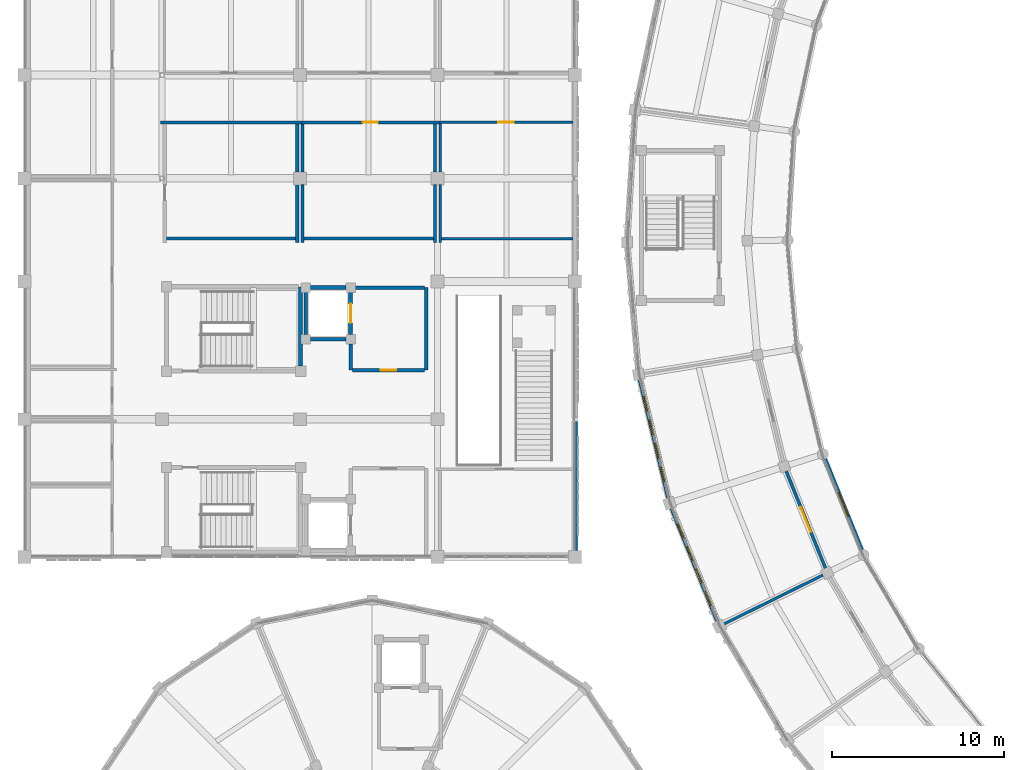
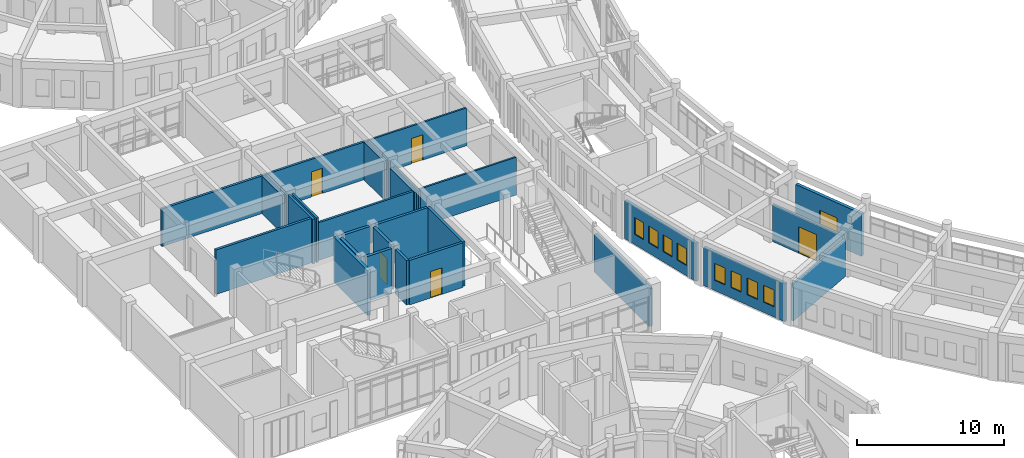
# One storey, part 121 of 159: 29 walls, 9 windows, 5 doors, 14 openings.
"""IFC4 building model written with IfcOpenShell, lengths in metres."""

from ifc_helpers import new_model, si_unit, direction, frame, frame_2d, origin, place, context, subcontext, project, spatial, rectangle, extrude, material, layer, layer_set, type_object, element, fill, save


model = new_model("IFC4")

# Units and contexts
model_context = context("Model", 3, precision=1e-05, world=origin(), true_north=direction((0.0, 1.0)))
body_context = subcontext(model_context, "Body", "Model", "MODEL_VIEW")
ifc_project = project(units=[si_unit("LENGTHUNIT", "METRE"), si_unit("AREAUNIT", "SQUARE_METRE"), si_unit("VOLUMEUNIT", "CUBIC_METRE"), si_unit("PLANEANGLEUNIT", "RADIAN"), si_unit("MASSUNIT", "GRAM", prefix="KILO")], contexts=[model_context])

# Site, building, storey
site_placement = place(None, origin())
site = spatial("IfcSite", under=ifc_project, at=site_placement, CompositionType="ELEMENT")
building_placement = place(site_placement, origin())
building = spatial("IfcBuilding", under=site, at=building_placement, Name="Celadon Cloister-Ring School", CompositionType="ELEMENT")
storey_placement = place(building_placement, frame((0.0, 0.0, 4.5)))
storey = spatial("IfcBuildingStorey", under=building, at=storey_placement, Name="L01", CompositionType="ELEMENT", Elevation=4.5)

# Wall
ifc_material_1 = material(Name="Rendered concrete blockwork", Category="masonry")
ifc_layer_1 = layer(ifc_material_1, 0.260009765625)
ifc_layer_set_1 = layer_set([ifc_layer_1], Name="Rendered concrete blockwork")
wall_type_1 = type_object("IfcWallType", Name="WT-EX2", PredefinedType="SOLIDWALL", material=ifc_layer_set_1)
wall_1_placement = place(storey_placement, frame((32.0, 47.887939453125, 0.0), z_axis=(0.0, 0.0, 1.0), x_axis=(0.0, -1.0, 0.0)))
element("IfcWall", 1, at=wall_1_placement, inside=storey, type_object=wall_type_1, Name="Exterior Wall 0507", PredefinedType="SOLIDWALL", context=body_context, shape_type="SweptSolid", body=[
    extrude(rectangle(XDim=7.510986328125, YDim=0.260009765625, at=frame_2d((3.75537109375, 0.0))), origin(), (0.0, 0.0, 1.0), 3.132080078125),
])

# Wall, opening, window
ifc_material_2 = material(Name="Rendered concrete blockwork", Category="masonry")
ifc_layer_2 = layer(ifc_material_2, 0.239990234375)
ifc_layer_set_2 = layer_set([ifc_layer_2], Name="Rendered concrete blockwork")
wall_type_2 = type_object("IfcWallType", Name="WT-EX3", PredefinedType="SOLIDWALL", material=ifc_layer_set_2)
wall_2_placement = place(storey_placement, frame((46.510986328125, 45.669921875, 0.0), z_axis=(0.0, 0.0, 1.0), x_axis=(0.374984650913, -0.927031019751, 0.0)))
wall_2 = element("IfcWall", 2, at=wall_2_placement, inside=storey, type_object=wall_type_2, Name="Exterior Wall 0066", PredefinedType="SOLIDWALL", context=body_context, shape_type="SweptSolid", body=[
    extrude(rectangle(XDim=5.664306640625, YDim=0.239990234375, at=frame_2d((2.83203125, 0.0))), origin(), (0.0, 0.0, 1.0), 3.550048828125),
])
opening_1_placement = place(wall_2_placement, frame((2.08203125, 0.0, 0.89990234375)))
opening_1 = element("IfcOpeningElement", 3, at=opening_1_placement, cuts=wall_2, Name="Opening WN-25", PredefinedType="OPENING", context=body_context, shape_type="SweptSolid", body=[
    extrude(rectangle(XDim=1.5, YDim=1.39990234375, at=frame_2d((0.75, 0.699951171875))), frame((0.0, 0.1298828125, 0.0), z_axis=(0.0, -1.0, 0.0), x_axis=(1.0, 0.0, 0.0)), (0.0, 0.0, 1.0), 0.260009765625),
])
ifc_material_3 = material(Name="Tempered laminated insulating glass", Category="glass")
window_type_1 = type_object("IfcWindowType", Name="WN-25", PartitioningType="DOUBLE_PANEL_VERTICAL", PredefinedType="WINDOW", material=ifc_material_3)
window_1_placement = place(opening_1_placement, origin())
window_1 = element("IfcWindow", 4, at=window_1_placement, inside=storey, type_object=window_type_1, Name="Window 0168", OverallHeight=1.39990234375, OverallWidth=1.5, PartitioningType="SINGLE_PANEL", PredefinedType="WINDOW", context=body_context, shape_type="SweptSolid", body=[
    extrude(rectangle(XDim=1.5, YDim=1.39990234375, at=frame_2d((0.75, 0.699951171875))), frame((0.0, 0.030029296875, 0.0), z_axis=(0.0, -1.0, 0.0), x_axis=(1.0, 0.0, 0.0)), (0.0, 0.0, 1.0), 0.06005859375),
])
fill(opening_1, window_1)

# Wall, openings, windows
ifc_material_4 = material(Name="Perforated terracotta clay brick masonry", Category="masonry")
ifc_layer_3 = layer(ifc_material_4, 0.219970703125)
ifc_layer_set_3 = layer_set([ifc_layer_3], Name="Perforated terracotta clay brick masonry")
wall_type_3 = type_object("IfcWallType", Name="WT-EX4", PredefinedType="SOLIDWALL", material=ifc_layer_set_3)
wall_3_placement = place(storey_placement, frame((37.406005859375, 43.445068359375, 0.0), z_axis=(0.0, 0.0, 1.0), x_axis=(-0.233995482049, 0.972237684098, 0.0)))
wall_3 = element("IfcWall", 5, at=wall_3_placement, inside=storey, type_object=wall_type_3, Name="Exterior Wall 0064", PredefinedType="SOLIDWALL", context=body_context, shape_type="SweptSolid", body=[
    extrude(rectangle(XDim=7.030029296875, YDim=0.219970703125, at=frame_2d((3.51513671875, 0.0))), origin(), (0.0, 0.0, 1.0), 3.172119140625),
])
opening_2_placement = place(wall_3_placement, frame((0.9560546875, 0.0, 0.85009765625)))
opening_2 = element("IfcOpeningElement", 6, at=opening_2_placement, cuts=wall_3, Name="Opening WN-21", PredefinedType="OPENING", context=body_context, shape_type="SweptSolid", body=[
    extrude(rectangle(XDim=0.89990234375, YDim=1.39990234375, at=frame_2d((0.449951171875, 0.699951171875))), frame((0.0, 0.1201171875, 0.0), z_axis=(0.0, -1.0, 0.0), x_axis=(1.0, 0.0, 0.0)), (0.0, 0.0, 1.0), 0.239990234375),
])
opening_3_placement = place(wall_3_placement, frame((2.362060546875, 0.0, 0.85009765625)))
opening_3 = element("IfcOpeningElement", 7, at=opening_3_placement, cuts=wall_3, Name="Opening WN-21", PredefinedType="OPENING", context=body_context, shape_type="SweptSolid", body=[
    extrude(rectangle(XDim=0.89990234375, YDim=1.39990234375, at=frame_2d((0.449951171875, 0.699951171875))), frame((0.0, 0.1201171875, 0.0), z_axis=(0.0, -1.0, 0.0), x_axis=(1.0, 0.0, 0.0)), (0.0, 0.0, 1.0), 0.239990234375),
])
opening_4_placement = place(wall_3_placement, frame((3.76806640625, 0.0, 0.85009765625)))
opening_4 = element("IfcOpeningElement", 8, at=opening_4_placement, cuts=wall_3, Name="Opening WN-21", PredefinedType="OPENING", context=body_context, shape_type="SweptSolid", body=[
    extrude(rectangle(XDim=0.89990234375, YDim=1.39990234375, at=frame_2d((0.449951171875, 0.699951171875))), frame((0.0, 0.1201171875, 0.0), z_axis=(0.0, -1.0, 0.0), x_axis=(1.0, 0.0, 0.0)), (0.0, 0.0, 1.0), 0.239990234375),
])
opening_5_placement = place(wall_3_placement, frame((5.174072265625, 0.0, 0.85009765625)))
opening_5 = element("IfcOpeningElement", 9, at=opening_5_placement, cuts=wall_3, Name="Opening WN-21", PredefinedType="OPENING", context=body_context, shape_type="SweptSolid", body=[
    extrude(rectangle(XDim=0.89990234375, YDim=1.39990234375, at=frame_2d((0.449951171875, 0.699951171875))), frame((0.0, 0.1201171875, 0.0), z_axis=(0.0, -1.0, 0.0), x_axis=(1.0, 0.0, 0.0)), (0.0, 0.0, 1.0), 0.239990234375),
])
ifc_material_5 = material(Name="Tempered laminated insulating glass", Category="glass")
window_type_2 = type_object("IfcWindowType", Name="WN-21", PartitioningType="SINGLE_PANEL", PredefinedType="WINDOW", material=ifc_material_5)
window_2_placement = place(opening_2_placement, origin())
window_2 = element("IfcWindow", 10, at=window_2_placement, inside=storey, type_object=window_type_2, Name="Window 0160", OverallHeight=1.39990234375, OverallWidth=0.89990234375, PartitioningType="SINGLE_PANEL", PredefinedType="WINDOW", context=body_context, shape_type="SweptSolid", body=[
    extrude(rectangle(XDim=0.89990234375, YDim=1.39990234375, at=frame_2d((0.449951171875, 0.699951171875))), frame((0.0, 0.030029296875, 0.0), z_axis=(0.0, -1.0, 0.0), x_axis=(1.0, 0.0, 0.0)), (0.0, 0.0, 1.0), 0.06005859375),
])
fill(opening_2, window_2)
window_3_placement = place(opening_3_placement, origin())
window_3 = element("IfcWindow", 11, at=window_3_placement, inside=storey, type_object=window_type_2, Name="Window 0161", OverallHeight=1.39990234375, OverallWidth=0.89990234375, PartitioningType="SINGLE_PANEL", PredefinedType="WINDOW", context=body_context, shape_type="SweptSolid", body=[
    extrude(rectangle(XDim=0.89990234375, YDim=1.39990234375, at=frame_2d((0.449951171875, 0.699951171875))), frame((0.0, 0.030029296875, 0.0), z_axis=(0.0, -1.0, 0.0), x_axis=(1.0, 0.0, 0.0)), (0.0, 0.0, 1.0), 0.06005859375),
])
fill(opening_3, window_3)
window_4_placement = place(opening_4_placement, origin())
window_4 = element("IfcWindow", 12, at=window_4_placement, inside=storey, type_object=window_type_2, Name="Window 0162", OverallHeight=1.39990234375, OverallWidth=0.89990234375, PartitioningType="SINGLE_PANEL", PredefinedType="WINDOW", context=body_context, shape_type="SweptSolid", body=[
    extrude(rectangle(XDim=0.89990234375, YDim=1.39990234375, at=frame_2d((0.449951171875, 0.699951171875))), frame((0.0, 0.030029296875, 0.0), z_axis=(0.0, -1.0, 0.0), x_axis=(1.0, 0.0, 0.0)), (0.0, 0.0, 1.0), 0.06005859375),
])
fill(opening_4, window_4)
window_5_placement = place(opening_5_placement, origin())
window_5 = element("IfcWindow", 13, at=window_5_placement, inside=storey, type_object=window_type_2, Name="Window 0163", OverallHeight=1.39990234375, OverallWidth=0.89990234375, PartitioningType="SINGLE_PANEL", PredefinedType="WINDOW", context=body_context, shape_type="SweptSolid", body=[
    extrude(rectangle(XDim=0.89990234375, YDim=1.39990234375, at=frame_2d((0.449951171875, 0.699951171875))), frame((0.0, 0.030029296875, 0.0), z_axis=(0.0, -1.0, 0.0), x_axis=(1.0, 0.0, 0.0)), (0.0, 0.0, 1.0), 0.06005859375),
])
fill(opening_5, window_5)

wall_4_placement = place(storey_placement, frame((40.2490234375, 36.2890625, 0.0), z_axis=(0.0, 0.0, 1.0), x_axis=(-0.375213359758, 0.926938474042, 0.0)))
wall_4 = element("IfcWall", 14, at=wall_4_placement, inside=storey, type_object=wall_type_3, Name="Exterior Wall 0065", PredefinedType="SOLIDWALL", context=body_context, shape_type="SweptSolid", body=[
    extrude(rectangle(XDim=7.030517578125, YDim=0.219970703125, at=frame_2d((3.51513671875, 0.0))), origin(), (0.0, 0.0, 1.0), 3.172119140625),
])
opening_6_placement = place(wall_4_placement, frame((0.9560546875, 0.0, 0.85009765625)))
opening_6 = element("IfcOpeningElement", 15, at=opening_6_placement, cuts=wall_4, Name="Opening WN-21", PredefinedType="OPENING", context=body_context, shape_type="SweptSolid", body=[
    extrude(rectangle(XDim=0.89990234375, YDim=1.39990234375, at=frame_2d((0.449951171875, 0.699951171875))), frame((0.0, 0.1201171875, 0.0), z_axis=(0.0, -1.0, 0.0), x_axis=(1.0, 0.0, 0.0)), (0.0, 0.0, 1.0), 0.239990234375),
])
opening_7_placement = place(wall_4_placement, frame((2.362060546875, 0.0, 0.85009765625)))
opening_7 = element("IfcOpeningElement", 16, at=opening_7_placement, cuts=wall_4, Name="Opening WN-21", PredefinedType="OPENING", context=body_context, shape_type="SweptSolid", body=[
    extrude(rectangle(XDim=0.89990234375, YDim=1.39990234375, at=frame_2d((0.449951171875, 0.699951171875))), frame((0.0, 0.1201171875, 0.0), z_axis=(0.0, -1.0, 0.0), x_axis=(1.0, 0.0, 0.0)), (0.0, 0.0, 1.0), 0.239990234375),
])
opening_8_placement = place(wall_4_placement, frame((3.76806640625, 0.0, 0.85009765625)))
opening_8 = element("IfcOpeningElement", 17, at=opening_8_placement, cuts=wall_4, Name="Opening WN-21", PredefinedType="OPENING", context=body_context, shape_type="SweptSolid", body=[
    extrude(rectangle(XDim=0.89990234375, YDim=1.39990234375, at=frame_2d((0.449951171875, 0.699951171875))), frame((0.0, 0.1201171875, 0.0), z_axis=(0.0, -1.0, 0.0), x_axis=(1.0, 0.0, 0.0)), (0.0, 0.0, 1.0), 0.239990234375),
])
opening_9_placement = place(wall_4_placement, frame((5.175048828125, 0.0, 0.85009765625)))
opening_9 = element("IfcOpeningElement", 18, at=opening_9_placement, cuts=wall_4, Name="Opening WN-21", PredefinedType="OPENING", context=body_context, shape_type="SweptSolid", body=[
    extrude(rectangle(XDim=0.89990234375, YDim=1.39990234375, at=frame_2d((0.449951171875, 0.699951171875))), frame((0.0, 0.1201171875, 0.0), z_axis=(0.0, -1.0, 0.0), x_axis=(1.0, 0.0, 0.0)), (0.0, 0.0, 1.0), 0.239990234375),
])
window_6_placement = place(opening_6_placement, origin())
window_6 = element("IfcWindow", 19, at=window_6_placement, inside=storey, type_object=window_type_2, Name="Window 0164", OverallHeight=1.39990234375, OverallWidth=0.89990234375, PartitioningType="SINGLE_PANEL", PredefinedType="WINDOW", context=body_context, shape_type="SweptSolid", body=[
    extrude(rectangle(XDim=0.89990234375, YDim=1.39990234375, at=frame_2d((0.449951171875, 0.699951171875))), frame((0.0, 0.030029296875, 0.0), z_axis=(0.0, -1.0, 0.0), x_axis=(1.0, 0.0, 0.0)), (0.0, 0.0, 1.0), 0.06005859375),
])
fill(opening_6, window_6)
window_7_placement = place(opening_7_placement, origin())
window_7 = element("IfcWindow", 20, at=window_7_placement, inside=storey, type_object=window_type_2, Name="Window 0165", OverallHeight=1.39990234375, OverallWidth=0.89990234375, PartitioningType="SINGLE_PANEL", PredefinedType="WINDOW", context=body_context, shape_type="SweptSolid", body=[
    extrude(rectangle(XDim=0.89990234375, YDim=1.39990234375, at=frame_2d((0.449951171875, 0.699951171875))), frame((0.0, 0.030029296875, 0.0), z_axis=(0.0, -1.0, 0.0), x_axis=(1.0, 0.0, 0.0)), (0.0, 0.0, 1.0), 0.06005859375),
])
fill(opening_7, window_7)
window_8_placement = place(opening_8_placement, origin())
window_8 = element("IfcWindow", 21, at=window_8_placement, inside=storey, type_object=window_type_2, Name="Window 0166", OverallHeight=1.39990234375, OverallWidth=0.89990234375, PartitioningType="SINGLE_PANEL", PredefinedType="WINDOW", context=body_context, shape_type="SweptSolid", body=[
    extrude(rectangle(XDim=0.89990234375, YDim=1.39990234375, at=frame_2d((0.449951171875, 0.699951171875))), frame((0.0, 0.030029296875, 0.0), z_axis=(0.0, -1.0, 0.0), x_axis=(1.0, 0.0, 0.0)), (0.0, 0.0, 1.0), 0.06005859375),
])
fill(opening_8, window_8)
window_9_placement = place(opening_9_placement, origin())
window_9 = element("IfcWindow", 22, at=window_9_placement, inside=storey, type_object=window_type_2, Name="Window 0167", OverallHeight=1.39990234375, OverallWidth=0.89990234375, PartitioningType="SINGLE_PANEL", PredefinedType="WINDOW", context=body_context, shape_type="SweptSolid", body=[
    extrude(rectangle(XDim=0.89990234375, YDim=1.39990234375, at=frame_2d((0.449951171875, 0.699951171875))), frame((0.0, 0.030029296875, 0.0), z_axis=(0.0, -1.0, 0.0), x_axis=(1.0, 0.0, 0.0)), (0.0, 0.0, 1.0), 0.06005859375),
])
fill(opening_9, window_9)

# Walls
ifc_material_6 = material(Name="Plastered hollow concrete masonry", Category="masonry")
ifc_layer_4 = layer(ifc_material_6, 0.199951171875)
ifc_layer_set_4 = layer_set([ifc_layer_4], Name="Plastered hollow concrete masonry")
wall_type_4 = type_object("IfcWallType", Name="WT-PT1", PredefinedType="PARTITIONING", material=ifc_layer_set_4)
wall_5_placement = place(storey_placement, frame((18.949951171875, 50.85009765625, 0.0), z_axis=(0.0, 0.0, 1.0), x_axis=(0.0, 1.0, 0.0)))
element("IfcWall", 23, at=wall_5_placement, inside=storey, type_object=wall_type_4, Name="Interior Wall 0263", PredefinedType="PARTITIONING", context=body_context, shape_type="SweptSolid", body=[
    extrude(rectangle(XDim=1.532958984375, YDim=0.199951171875, at=frame_2d((0.7666015625, 0.0))), origin(), (0.0, 0.0, 1.0), 3.699951171875),
])
wall_6_placement = place(storey_placement, frame((23.35009765625, 50.85009765625, 0.0), z_axis=(0.0, 0.0, 1.0), x_axis=(0.0, 1.0, 0.0)))
element("IfcWall", 24, at=wall_6_placement, inside=storey, type_object=wall_type_4, Name="Interior Wall 0264", PredefinedType="PARTITIONING", context=body_context, shape_type="SweptSolid", body=[
    extrude(rectangle(XDim=4.7998046875, YDim=0.199951171875, at=frame_2d((2.39990234375, 0.0))), origin(), (0.0, 0.0, 1.0), 3.699951171875),
])
wall_7_placement = place(storey_placement, frame((19.217041015625, 55.64990234375, 0.0), z_axis=(0.0, 0.0, 1.0), x_axis=(1.0, 0.0, 0.0)))
element("IfcWall", 25, at=wall_7_placement, inside=storey, type_object=wall_type_4, Name="Interior Wall 0265", PredefinedType="PARTITIONING", context=body_context, shape_type="SweptSolid", body=[
    extrude(rectangle(XDim=4.030029296875, YDim=0.199951171875, at=frame_2d((2.01513671875, 0.0))), origin(), (0.0, 0.0, 1.0), 3.699951171875),
])

# Wall, opening, door
wall_8_placement = place(storey_placement, frame((19.052978515625, 50.85009765625, 0.0), z_axis=(0.0, 0.0, 1.0), x_axis=(1.0, 0.0, 0.0)))
wall_8 = element("IfcWall", 26, at=wall_8_placement, inside=storey, type_object=wall_type_4, Name="Interior Wall 0266", PredefinedType="PARTITIONING", context=body_context, shape_type="SweptSolid", body=[
    extrude(rectangle(XDim=4.194091796875, YDim=0.199951171875, at=frame_2d((2.09716796875, 0.0))), origin(), (0.0, 0.0, 1.0), 3.699951171875),
])
opening_10_placement = place(wall_8_placement, frame((1.64697265625, 0.0, 0.0)))
opening_10 = element("IfcOpeningElement", 27, at=opening_10_placement, cuts=wall_8, Name="Opening D-0092", PredefinedType="OPENING", context=body_context, shape_type="SweptSolid", body=[
    extrude(rectangle(XDim=0.89990234375, YDim=2.199951171875, at=frame_2d((0.449951171875, 1.10009765625))), frame((0.0, 0.10986328125, 0.0), z_axis=(0.0, -1.0, 0.0), x_axis=(1.0, 0.0, 0.0)), (0.0, 0.0, 1.0), 0.219970703125),
])
ifc_material_7 = material(Name="Solid-core fire-rated hardwood leaf", Category="wood")
door_type_1 = type_object("IfcDoorType", Name="DT-06", OperationType="NOTDEFINED", PredefinedType="DOOR", material=ifc_material_7)
door_1_placement = place(opening_10_placement, origin())
door_1 = element("IfcDoor", 28, at=door_1_placement, inside=storey, type_object=door_type_1, Name="Door D-0092", OperationType="SINGLE_SWING_RIGHT", OverallHeight=2.199951171875, OverallWidth=0.89990234375, PredefinedType="DOOR", context=body_context, shape_type="SweptSolid", body=[
    extrude(rectangle(XDim=0.89990234375, YDim=2.199951171875, at=frame_2d((0.449951171875, 1.10009765625))), frame((0.0, 0.02490234375, 0.0), z_axis=(0.0, -1.0, 0.0), x_axis=(1.0, 0.0, 0.0)), (0.0, 0.0, 1.0), 0.050048828125),
])
fill(opening_10, door_1)

ifc_material_8 = material(Name="Plastered hollow concrete masonry", Category="masonry")
ifc_layer_5 = layer(ifc_material_8, 0.179931640625)
ifc_layer_set_5 = layer_set([ifc_layer_5], Name="Plastered hollow concrete masonry")
wall_type_5 = type_object("IfcWallType", Name="WT-PT2", PredefinedType="PARTITIONING", material=ifc_layer_set_5)
wall_9_placement = place(storey_placement, frame((44.260009765625, 44.985107421875, 0.0), z_axis=(0.0, 0.0, 1.0), x_axis=(0.375035083014, -0.927010618337, 0.0)))
wall_9 = element("IfcWall", 29, at=wall_9_placement, inside=storey, type_object=wall_type_5, Name="Interior Wall 0515", PredefinedType="PARTITIONING", context=body_context, shape_type="SweptSolid", body=[
    extrude(rectangle(XDim=6.08203125, YDim=0.179931640625, at=frame_2d((3.041015625, 0.0))), origin(), (0.0, 0.0, 1.0), 3.072021484375),
])
opening_11_placement = place(wall_9_placement, frame((2.26611328125, 0.0, 0.0)))
opening_11 = element("IfcOpeningElement", 30, at=opening_11_placement, cuts=wall_9, Name="Opening D-0153", PredefinedType="OPENING", context=body_context, shape_type="SweptSolid", body=[
    extrude(rectangle(XDim=1.550048828125, YDim=2.199951171875, at=frame_2d((0.77490234375, 1.10009765625))), frame((0.0, 0.10009765625, 0.0), z_axis=(0.0, -1.0, 0.0), x_axis=(1.0, 0.0, 0.0)), (0.0, 0.0, 1.0), 0.199951171875),
])
ifc_material_9 = material(Name="Galvanised fire-rated hollow steel leaf", Category="steel")
door_type_2 = type_object("IfcDoorType", Name="DT-13", OperationType="NOTDEFINED", PredefinedType="DOOR", material=ifc_material_9)
door_2_placement = place(opening_11_placement, origin())
door_2 = element("IfcDoor", 31, at=door_2_placement, inside=storey, type_object=door_type_2, Name="Door D-0153", OperationType="SINGLE_SWING_LEFT", OverallHeight=2.199951171875, OverallWidth=1.550048828125, PredefinedType="DOOR", context=body_context, shape_type="SweptSolid", body=[
    extrude(rectangle(XDim=1.550048828125, YDim=2.199951171875, at=frame_2d((0.77490234375, 1.10009765625))), frame((0.0, 0.02490234375, 0.0), z_axis=(0.0, -1.0, 0.0), x_axis=(1.0, 0.0, 0.0)), (0.0, 0.0, 1.0), 0.050048828125),
])
fill(opening_11, door_2)

# Walls
wall_10_placement = place(storey_placement, frame((7.909912109375, 65.25, 0.0), z_axis=(0.0, 0.0, 1.0), x_axis=(1.0, 0.0, 0.0)))
element("IfcWall", 32, at=wall_10_placement, inside=storey, type_object=wall_type_5, Name="Interior Wall 0978", PredefinedType="PARTITIONING", context=body_context, shape_type="SweptSolid", body=[
    extrude(rectangle(XDim=8.18017578125, YDim=0.179931640625, at=frame_2d((4.090087890625, 0.0))), origin(), (0.0, 0.0, 1.0), 3.132080078125),
])
wall_11_placement = place(storey_placement, frame((15.85009765625, 65.156982421875, 0.0), z_axis=(0.0, 0.0, 1.0), x_axis=(0.0, -1.0, 0.0)))
element("IfcWall", 33, at=wall_11_placement, inside=storey, type_object=wall_type_5, Name="Interior Wall 0979", PredefinedType="PARTITIONING", context=body_context, shape_type="SweptSolid", body=[
    extrude(rectangle(XDim=2.7900390625, YDim=0.179931640625, at=frame_2d((1.39501953125, 0.0))), origin(), (0.0, 0.0, 1.0), 3.132080078125),
])
wall_12_placement = place(storey_placement, frame((15.85009765625, 61.633056640625, 0.0), z_axis=(0.0, 0.0, 1.0), x_axis=(0.0, -1.0, 0.0)))
element("IfcWall", 34, at=wall_12_placement, inside=storey, type_object=wall_type_5, Name="Interior Wall 0980", PredefinedType="PARTITIONING", context=body_context, shape_type="SweptSolid", body=[
    extrude(rectangle(XDim=3.373046875, YDim=0.179931640625, at=frame_2d((1.6865234375, 0.0))), origin(), (0.0, 0.0, 1.0), 3.699951171875),
])
wall_13_placement = place(storey_placement, frame((15.757080078125, 58.5, 0.0), z_axis=(0.0, 0.0, 1.0), x_axis=(-1.0, 0.0, 0.0)))
element("IfcWall", 35, at=wall_13_placement, inside=storey, type_object=wall_type_5, Name="Interior Wall 0982", PredefinedType="PARTITIONING", context=body_context, shape_type="SweptSolid", body=[
    extrude(rectangle(XDim=7.51416015625, YDim=0.179931640625, at=frame_2d((3.757080078125, 0.0))), origin(), (0.0, 0.0, 1.0), 3.699951171875),
])
ifc_material_10 = material(Name="Plastered hollow concrete masonry", Category="masonry")
ifc_layer_6 = layer(ifc_material_10, 0.159912109375)
ifc_layer_set_6 = layer_set([ifc_layer_6], Name="Plastered hollow concrete masonry")
wall_type_6 = type_object("IfcWallType", Name="WT-PT3", PredefinedType="PARTITIONING", material=ifc_layer_set_6)
wall_14_placement = place(storey_placement, frame((46.388916015625, 38.947021484375, 0.0), z_axis=(0.0, 0.0, 1.0), x_axis=(-0.896601670098, -0.4428379446, 0.0)))
element("IfcWall", 36, at=wall_14_placement, inside=storey, type_object=wall_type_6, Name="Interior Wall 0488", PredefinedType="PARTITIONING", context=body_context, shape_type="SweptSolid", body=[
    extrude(rectangle(XDim=6.390869140625, YDim=0.159912109375, at=frame_2d((3.1953125, 0.0))), origin(), (0.0, 0.0, 1.0), 3.072021484375),
])

# Wall, opening, door
wall_15_placement = place(storey_placement, frame((16.090087890625, 65.25, 0.0), z_axis=(0.0, 0.0, 1.0), x_axis=(1.0, 0.0, 0.0)))
wall_15 = element("IfcWall", 37, at=wall_15_placement, inside=storey, type_object=wall_type_6, Name="Interior Wall 0983", PredefinedType="PARTITIONING", context=body_context, shape_type="SweptSolid", body=[
    extrude(rectangle(XDim=8.0, YDim=0.159912109375, at=frame_2d((4.0, 0.0))), origin(), (0.0, 0.0, 1.0), 3.132080078125),
])
opening_12_placement = place(wall_15_placement, frame((3.56005859375, 0.0, 0.0)))
opening_12 = element("IfcOpeningElement", 38, at=opening_12_placement, cuts=wall_15, Name="Opening D-0354", PredefinedType="OPENING", context=body_context, shape_type="SweptSolid", body=[
    extrude(rectangle(XDim=0.8798828125, YDim=2.10009765625, at=frame_2d((0.43994140625, 1.050048828125))), frame((0.0, 0.08984375, 0.0), z_axis=(0.0, -1.0, 0.0), x_axis=(1.0, 0.0, 0.0)), (0.0, 0.0, 1.0), 0.179931640625),
])
ifc_material_11 = material(Name="Solid-core fire-rated hardwood leaf", Category="wood")
door_type_3 = type_object("IfcDoorType", Name="DT-01", OperationType="NOTDEFINED", PredefinedType="DOOR", material=ifc_material_11)
door_3_placement = place(opening_12_placement, origin())
door_3 = element("IfcDoor", 39, at=door_3_placement, inside=storey, type_object=door_type_3, Name="Door D-0354", OperationType="SINGLE_SWING_RIGHT", OverallHeight=2.10009765625, OverallWidth=0.8798828125, PredefinedType="DOOR", context=body_context, shape_type="SweptSolid", body=[
    extrude(rectangle(XDim=0.8798828125, YDim=2.10009765625, at=frame_2d((0.43994140625, 1.050048828125))), frame((0.0, 0.02490234375, 0.0), z_axis=(0.0, -1.0, 0.0), x_axis=(1.0, 0.0, 0.0)), (0.0, 0.0, 1.0), 0.050048828125),
])
fill(opening_12, door_3)

# Walls
wall_16_placement = place(storey_placement, frame((23.85009765625, 65.1669921875, 0.0), z_axis=(0.0, 0.0, 1.0), x_axis=(0.0, -1.0, 0.0)))
element("IfcWall", 40, at=wall_16_placement, inside=storey, type_object=wall_type_6, Name="Interior Wall 0984", PredefinedType="PARTITIONING", context=body_context, shape_type="SweptSolid", body=[
    extrude(rectangle(XDim=2.800048828125, YDim=0.159912109375, at=frame_2d((1.39990234375, 0.0))), origin(), (0.0, 0.0, 1.0), 3.132080078125),
])
wall_17_placement = place(storey_placement, frame((23.85009765625, 61.633056640625, 0.0), z_axis=(0.0, 0.0, 1.0), x_axis=(0.0, -1.0, 0.0)))
element("IfcWall", 41, at=wall_17_placement, inside=storey, type_object=wall_type_6, Name="Interior Wall 0985", PredefinedType="PARTITIONING", context=body_context, shape_type="SweptSolid", body=[
    extrude(rectangle(XDim=3.373046875, YDim=0.159912109375, at=frame_2d((1.6865234375, 0.0))), origin(), (0.0, 0.0, 1.0), 3.132080078125),
])
wall_18_placement = place(storey_placement, frame((16.14990234375, 58.260009765625, 0.0), z_axis=(0.0, 0.0, 1.0), x_axis=(0.0, 1.0, 0.0)))
element("IfcWall", 42, at=wall_18_placement, inside=storey, type_object=wall_type_6, Name="Interior Wall 0986", PredefinedType="PARTITIONING", context=body_context, shape_type="SweptSolid", body=[
    extrude(rectangle(XDim=3.373046875, YDim=0.159912109375, at=frame_2d((1.6865234375, 0.0))), origin(), (0.0, 0.0, 1.0), 3.699951171875),
])
wall_19_placement = place(storey_placement, frame((16.14990234375, 62.366943359375, 0.0), z_axis=(0.0, 0.0, 1.0), x_axis=(0.0, 1.0, 0.0)))
element("IfcWall", 43, at=wall_19_placement, inside=storey, type_object=wall_type_6, Name="Interior Wall 0987", PredefinedType="PARTITIONING", context=body_context, shape_type="SweptSolid", body=[
    extrude(rectangle(XDim=2.800048828125, YDim=0.159912109375, at=frame_2d((1.39990234375, 0.0))), origin(), (0.0, 0.0, 1.0), 3.132080078125),
])
wall_20_placement = place(storey_placement, frame((23.76708984375, 58.5, 0.0), z_axis=(0.0, 0.0, 1.0), x_axis=(-1.0, 0.0, 0.0)))
element("IfcWall", 44, at=wall_20_placement, inside=storey, type_object=wall_type_6, Name="Interior Wall 0988", PredefinedType="PARTITIONING", context=body_context, shape_type="SweptSolid", body=[
    extrude(rectangle(XDim=7.5341796875, YDim=0.159912109375, at=frame_2d((3.76708984375, 0.0))), origin(), (0.0, 0.0, 1.0), 3.132080078125),
])

# Wall, opening, door
ifc_material_12 = material(Name="Acoustic mineral-wool drywall partition")
ifc_layer_7 = layer(ifc_material_12, 0.139892578125)
ifc_layer_set_7 = layer_set([ifc_layer_7], Name="Acoustic mineral-wool drywall partition")
wall_type_7 = type_object("IfcWallType", Name="WT-PT4", PredefinedType="PARTITIONING", material=ifc_layer_set_7)
wall_21_placement = place(storey_placement, frame((24.090087890625, 65.25, 0.0), z_axis=(0.0, 0.0, 1.0), x_axis=(1.0, 0.0, 0.0)))
wall_21 = element("IfcWall", 45, at=wall_21_placement, inside=storey, type_object=wall_type_7, Name="Interior Wall 0989", PredefinedType="PARTITIONING", context=body_context, shape_type="SweptSolid", body=[
    extrude(rectangle(XDim=7.77685546875, YDim=0.139892578125, at=frame_2d((3.888427734375, 0.0))), origin(), (0.0, 0.0, 1.0), 3.132080078125),
])
opening_13_placement = place(wall_21_placement, frame((3.448974609375, 0.0, 0.0)))
opening_13 = element("IfcOpeningElement", 46, at=opening_13_placement, cuts=wall_21, Name="Opening D-0355", PredefinedType="OPENING", context=body_context, shape_type="SweptSolid", body=[
    extrude(rectangle(XDim=0.8798828125, YDim=2.10009765625, at=frame_2d((0.43994140625, 1.050048828125))), frame((0.0, 0.080078125, 0.0), z_axis=(0.0, -1.0, 0.0), x_axis=(1.0, 0.0, 0.0)), (0.0, 0.0, 1.0), 0.159912109375),
])
door_4_placement = place(opening_13_placement, origin())
door_4 = element("IfcDoor", 47, at=door_4_placement, inside=storey, type_object=door_type_3, Name="Door D-0355", OperationType="SINGLE_SWING_LEFT", OverallHeight=2.10009765625, OverallWidth=0.8798828125, PredefinedType="DOOR", context=body_context, shape_type="SweptSolid", body=[
    extrude(rectangle(XDim=0.8798828125, YDim=2.10009765625, at=frame_2d((0.43994140625, 1.050048828125))), frame((0.0, 0.02490234375, 0.0), z_axis=(0.0, -1.0, 0.0), x_axis=(1.0, 0.0, 0.0)), (0.0, 0.0, 1.0), 0.050048828125),
])
fill(opening_13, door_4)

# Walls
wall_22_placement = place(storey_placement, frame((24.14990234375, 58.260009765625, 0.0), z_axis=(0.0, 0.0, 1.0), x_axis=(0.0, 1.0, 0.0)))
element("IfcWall", 48, at=wall_22_placement, inside=storey, type_object=wall_type_7, Name="Interior Wall 0990", PredefinedType="PARTITIONING", context=body_context, shape_type="SweptSolid", body=[
    extrude(rectangle(XDim=3.373046875, YDim=0.139892578125, at=frame_2d((1.6865234375, 0.0))), origin(), (0.0, 0.0, 1.0), 3.132080078125),
])
wall_23_placement = place(storey_placement, frame((24.14990234375, 62.366943359375, 0.0), z_axis=(0.0, 0.0, 1.0), x_axis=(0.0, 1.0, 0.0)))
element("IfcWall", 49, at=wall_23_placement, inside=storey, type_object=wall_type_7, Name="Interior Wall 0991", PredefinedType="PARTITIONING", context=body_context, shape_type="SweptSolid", body=[
    extrude(rectangle(XDim=2.81005859375, YDim=0.139892578125, at=frame_2d((1.405029296875, 0.0))), origin(), (0.0, 0.0, 1.0), 3.132080078125),
])
wall_24_placement = place(storey_placement, frame((31.866943359375, 58.5, 0.0), z_axis=(0.0, 0.0, 1.0), x_axis=(-1.0, 0.0, 0.0)))
element("IfcWall", 50, at=wall_24_placement, inside=storey, type_object=wall_type_7, Name="Interior Wall 0992", PredefinedType="PARTITIONING", context=body_context, shape_type="SweptSolid", body=[
    extrude(rectangle(XDim=7.64404296875, YDim=0.139892578125, at=frame_2d((3.822021484375, 0.0))), origin(), (0.0, 0.0, 1.0), 3.132080078125),
])
ifc_material_13 = material(Name="Concrete C40/50", Category="concrete")
ifc_layer_8 = layer(ifc_material_13, 0.239990234375)
ifc_layer_set_8 = layer_set([ifc_layer_8], Name="Concrete C40/50")
wall_type_8 = type_object("IfcWallType", Name="WT-SH1", PredefinedType="SHEAR", material=ifc_layer_set_8)
wall_25_placement = place(storey_placement, frame((16.050048828125, 55.699951171875, 0.0), z_axis=(0.0, 0.0, 1.0), x_axis=(0.0, -1.0, 0.0)))
element("IfcWall", 51, at=wall_25_placement, inside=storey, type_object=wall_type_8, Name="Interior Wall 0030", PredefinedType="SHEAR", context=body_context, shape_type="SweptSolid", body=[
    extrude(rectangle(XDim=4.60791015625, YDim=0.239990234375, at=frame_2d((2.303955078125, 0.0))), origin(), (0.0, 0.0, 1.0), 3.739990234375),
])
ifc_material_14 = material(Name="Concrete C40/50", Category="concrete")
ifc_layer_9 = layer(ifc_material_14, 0.219970703125)
ifc_layer_set_9 = layer_set([ifc_layer_9], Name="Concrete C40/50")
wall_type_9 = type_object("IfcWallType", Name="WT-SH2", PredefinedType="SHEAR", material=ifc_layer_set_9)
wall_26_placement = place(storey_placement, frame((16.616943359375, 52.64990234375, 0.0), z_axis=(0.0, 0.0, 1.0), x_axis=(1.0, 0.0, 0.0)))
element("IfcWall", 52, at=wall_26_placement, inside=storey, type_object=wall_type_9, Name="Interior Wall 0259", PredefinedType="SHEAR", context=body_context, shape_type="SweptSolid", body=[
    extrude(rectangle(XDim=2.066162109375, YDim=0.219970703125, at=frame_2d((1.033203125, 0.0))), origin(), (0.0, 0.0, 1.0), 3.739990234375),
])

# Wall, opening, door
wall_27_placement = place(storey_placement, frame((18.949951171875, 52.9169921875, 0.0), z_axis=(0.0, 0.0, 1.0), x_axis=(0.0, 1.0, 0.0)))
wall_27 = element("IfcWall", 53, at=wall_27_placement, inside=storey, type_object=wall_type_9, Name="Interior Wall 0260", PredefinedType="SHEAR", context=body_context, shape_type="SweptSolid", body=[
    extrude(rectangle(XDim=2.466064453125, YDim=0.219970703125, at=frame_2d((1.23291015625, 0.0))), origin(), (0.0, 0.0, 1.0), 3.739990234375),
])
opening_14_placement = place(wall_27_placement, frame((0.68310546875, 0.0, 0.0)))
opening_14 = element("IfcOpeningElement", 54, at=opening_14_placement, cuts=wall_27, Name="Opening LD-008", PredefinedType="OPENING", context=body_context, shape_type="SweptSolid", body=[
    extrude(rectangle(XDim=1.10009765625, YDim=2.14990234375, at=frame_2d((0.550048828125, 1.074951171875))), frame((0.0, 0.1201171875, 0.0), z_axis=(0.0, -1.0, 0.0), x_axis=(1.0, 0.0, 0.0)), (0.0, 0.0, 1.0), 0.239990234375),
])
ifc_material_15 = material(Name="Galvanised fire-rated hollow steel leaf", Category="steel")
door_type_4 = type_object("IfcDoorType", Name="DT-LD1", OperationType="DOUBLE_DOOR_SLIDING", PredefinedType="DOOR", material=ifc_material_15)
door_5_placement = place(opening_14_placement, origin())
door_5 = element("IfcDoor", 55, at=door_5_placement, inside=storey, type_object=door_type_4, Name="Door LD-008", OperationType="DOUBLE_DOOR_SLIDING", OverallHeight=2.14990234375, OverallWidth=1.10009765625, PredefinedType="DOOR", context=body_context, shape_type="SweptSolid", body=[
    extrude(rectangle(XDim=1.10009765625, YDim=2.14990234375, at=frame_2d((0.550048828125, 1.074951171875))), frame((0.0, 0.02490234375, 0.0), z_axis=(0.0, -1.0, 0.0), x_axis=(1.0, 0.0, 0.0)), (0.0, 0.0, 1.0), 0.050048828125),
])
fill(opening_14, door_5)

# Walls
wall_28_placement = place(storey_placement, frame((18.68310546875, 55.64990234375, 0.0), z_axis=(0.0, 0.0, 1.0), x_axis=(-1.0, 0.0, 0.0)))
element("IfcWall", 56, at=wall_28_placement, inside=storey, type_object=wall_type_9, Name="Interior Wall 0261", PredefinedType="SHEAR", context=body_context, shape_type="SweptSolid", body=[
    extrude(rectangle(XDim=2.066162109375, YDim=0.219970703125, at=frame_2d((1.033203125, 0.0))), origin(), (0.0, 0.0, 1.0), 3.739990234375),
])
wall_29_placement = place(storey_placement, frame((16.35009765625, 55.383056640625, 0.0), z_axis=(0.0, 0.0, 1.0), x_axis=(0.0, -1.0, 0.0)))
element("IfcWall", 57, at=wall_29_placement, inside=storey, type_object=wall_type_9, Name="Interior Wall 0262", PredefinedType="SHEAR", context=body_context, shape_type="SweptSolid", body=[
    extrude(rectangle(XDim=2.466064453125, YDim=0.219970703125, at=frame_2d((1.23291015625, 0.0))), origin(), (0.0, 0.0, 1.0), 3.739990234375),
])

save(model, "model.ifc")
